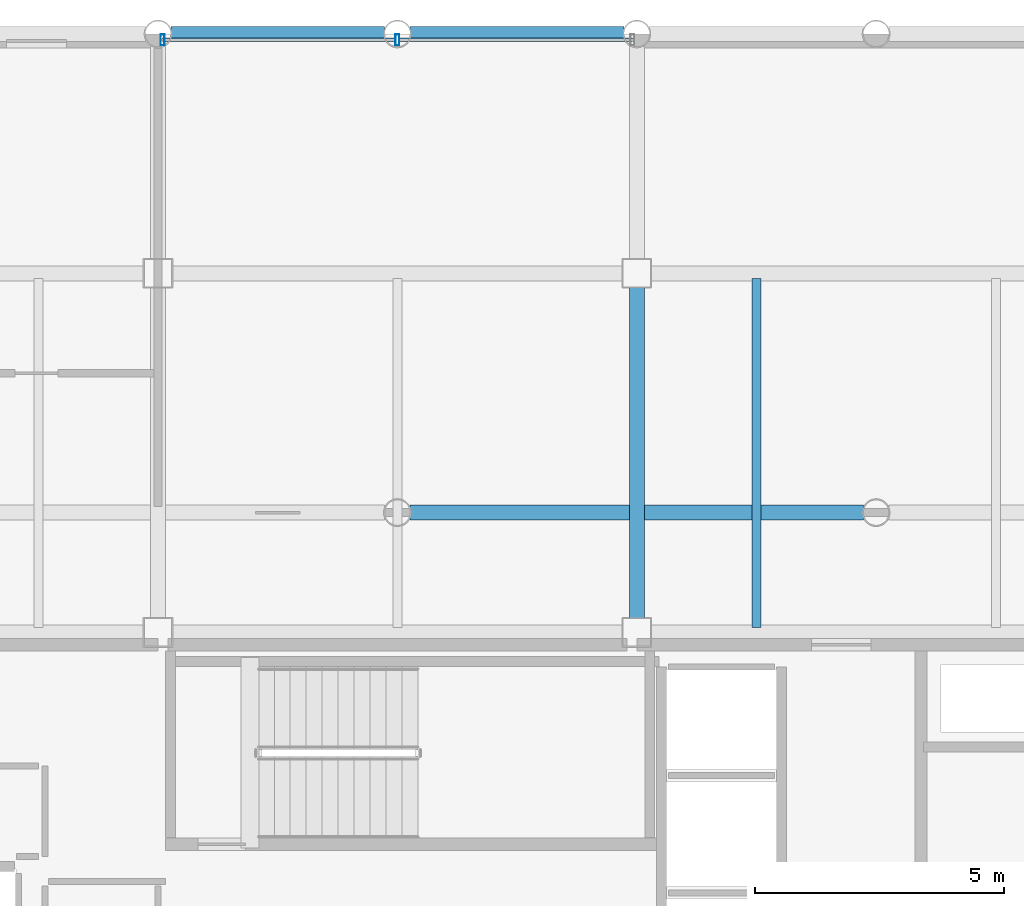
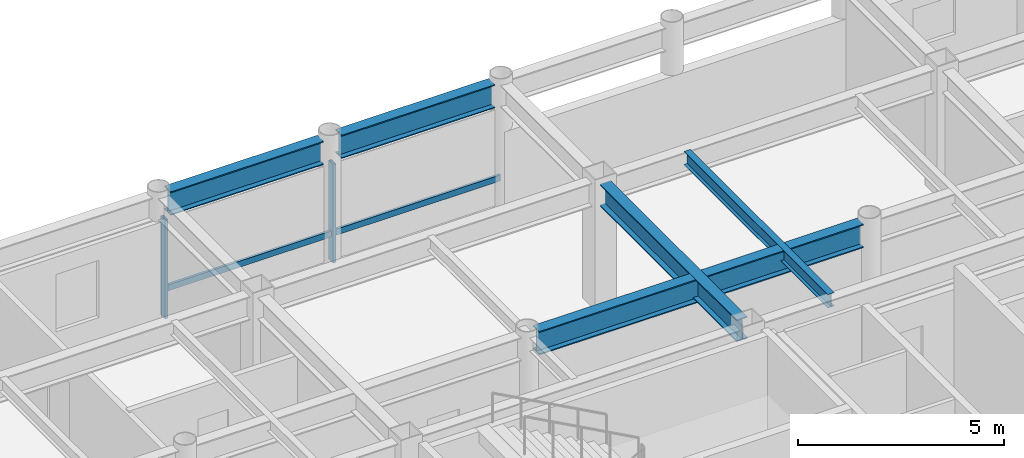
# One storey, part 13 of 21: 5 beams, 4 members, 1 element without a shape of its own.
"""IFC4 building model written with IfcOpenShell, lengths in metres."""

from ifc_helpers import new_model, si_unit, direction, frame, origin, origin_2d, place, context, subcontext, project, spatial, hollow_rectangle, i_section, extrude, material, layer, layer_set, material_profile, profile_set, type_object, element, aggregate, save


model = new_model("IFC4")

# Units and contexts
model_context = context("Model", 3, precision=1e-05, world=origin(), true_north=direction((0.0, 1.0)))
body_context = subcontext(model_context, "Body", "Model", "MODEL_VIEW")
ifc_project = project(units=[si_unit("LENGTHUNIT", "METRE"), si_unit("AREAUNIT", "SQUARE_METRE"), si_unit("VOLUMEUNIT", "CUBIC_METRE"), si_unit("PLANEANGLEUNIT", "RADIAN"), si_unit("MASSUNIT", "GRAM", prefix="KILO")], contexts=[model_context])

# Site, building, storey
site_placement = place(None, origin())
site = spatial("IfcSite", under=ifc_project, at=site_placement, CompositionType="ELEMENT")
building_placement = place(site_placement, origin())
building = spatial("IfcBuilding", under=site, at=building_placement, Name="Kallvorn Hotel Tower", CompositionType="ELEMENT")
storey_placement = place(building_placement, frame((0.0, 0.0, 214.60009765625)))
storey = spatial("IfcBuildingStorey", under=building, at=storey_placement, Name="L53", CompositionType="ELEMENT", Elevation=214.60009765625)

# Beams
ifc_material_1 = material(Name="Structural steel S355JR", Category="steel")
ifc_material_profile_1 = material_profile(ifc_material_1, i_section(OverallWidth=0.300048828125, OverallDepth=0.64990234375, WebThickness=0.01611328125, FlangeThickness=0.031005859375, at=origin_2d()), Name="HE 650 B")
ifc_profile_set_1 = profile_set([ifc_material_profile_1], Name="Structural steel S355JR")
beam_type_1 = type_object("IfcBeamType", Name="BM_HE650B", PredefinedType="BEAM", material=ifc_profile_set_1)
beam_1_placement = place(storey_placement, frame((4.800048828125, 7.47509765625, 3.344970703125), z_axis=(0.0, 1.0, 0.0), x_axis=(-1.0, 0.0, 0.0)))
element("IfcBeam", 1, at=beam_1_placement, inside=storey, type_object=beam_type_1, Name="L54 Primary Y-Girder 116", PredefinedType="BEAM", context=body_context, shape_type="SweptSolid", body=[
    extrude(i_section(OverallWidth=0.300048828125, OverallDepth=0.64990234375, WebThickness=0.01611328125, FlangeThickness=0.031005859375, at=origin_2d()), origin(), (0.0, 0.0, 1.0), 6.64990234375),
])
ifc_material_2 = material(Name="Structural steel S355JR", Category="steel")
ifc_material_profile_2 = material_profile(ifc_material_2, i_section(OverallWidth=0.300048828125, OverallDepth=0.699951171875, WebThickness=0.01708984375, FlangeThickness=0.031982421875, at=origin_2d()), Name="HE 700 B")
ifc_profile_set_2 = profile_set([ifc_material_profile_2], Name="Structural steel S355JR")
beam_type_2 = type_object("IfcBeamType", Name="BM_HE700B", PredefinedType="BEAM", material=ifc_profile_set_2)
beam_2_placement = place(storey_placement, frame((0.25439453125, 9.60009765625, 3.31982421875), z_axis=(1.0, 0.0, 0.0), x_axis=(0.0, 1.0, 0.0)))
element("IfcBeam", 2, at=beam_2_placement, inside=storey, type_object=beam_type_2, Name="L54 Primary X-Girder 46", PredefinedType="BEAM", context=body_context, shape_type="SweptSolid", body=[
    extrude(i_section(OverallWidth=0.300048828125, OverallDepth=0.699951171875, WebThickness=0.01708984375, FlangeThickness=0.031982421875, at=origin_2d()), origin(), (0.0, 0.0, 1.0), 9.091064453125),
])
for number, where, z_axis, x_axis, name in (
    (3, (-4.54541015625, 19.199951171875, 3.31982421875), (1.0, 0.0, 0.0), (0.0, 1.0, 0.0), "L54 Primary X-Girder 66"),
    (4, (0.25439453125, 19.199951171875, 3.31982421875), (1.0, 0.0, 0.0), (0.0, 1.0, 0.0), "L54 Primary X-Girder 67"),
):
    element("IfcBeam", number, at=place(storey_placement, frame(where, z_axis=z_axis, x_axis=x_axis)), inside=storey, type_object=beam_type_2, Name=name, PredefinedType="BEAM", context=body_context, shape_type="SweptSolid", body=[
        extrude(i_section(OverallWidth=0.300048828125, OverallDepth=0.699951171875, WebThickness=0.01708984375, FlangeThickness=0.031982421875, at=origin_2d()), origin(), (0.0, 0.0, 1.0), 4.291015625),
    ])
ifc_material_3 = material(Name="Structural steel S355JR", Category="steel")
ifc_material_profile_3 = material_profile(ifc_material_3, i_section(OverallWidth=0.179931640625, OverallDepth=0.39990234375, WebThickness=0.008544921875, FlangeThickness=0.013427734375, at=origin_2d()), Name="IPE 400")
ifc_profile_set_3 = profile_set([ifc_material_profile_3], Name="Structural steel S355JR")
beam_type_3 = type_object("IfcBeamType", Name="BM_IPE400", PredefinedType="JOIST", material=ifc_profile_set_3)
beam_3_placement = place(storey_placement, frame((7.199951171875, 7.300048828125, 3.469970703125), z_axis=(0.0, 1.0, 0.0), x_axis=(-1.0, 0.0, 0.0)))
element("IfcBeam", 5, at=beam_3_placement, inside=storey, type_object=beam_type_3, Name="L54 Secondary Composite Joist 203", PredefinedType="JOIST", context=body_context, shape_type="SweptSolid", body=[
    extrude(i_section(OverallWidth=0.179931640625, OverallDepth=0.39990234375, WebThickness=0.008544921875, FlangeThickness=0.013427734375, at=origin_2d()), origin(), (0.0, 0.0, 1.0), 7.0),
])

# Curtain wall, members
ifc_material_4 = material(Name="Thermally broken black-anodised aluminium AA 6063-T6", Category="aluminium")
ifc_layer = layer(ifc_material_4, 0.22998046875)
ifc_layer_set = layer_set([ifc_layer], Name="CW_SYS_5_HOTEL_HIGH")
curtain_wall_type = type_object("IfcCurtainWallType", Name="CW_SYS_5_HOTEL_HIGH", PredefinedType="USERDEFINED", material=ifc_layer_set)
curtain_wall_placement = place(storey_placement, origin())
curtain_wall = element("IfcCurtainWall", 6, at=curtain_wall_placement, inside=storey, type_object=curtain_wall_type, Name="L53 Dark-Glass Curtain Wall CW-L53-NC", ObjectType="UNITISED CURTAIN WALL", PredefinedType="USERDEFINED")
ifc_material_5 = material(Name="Thermally broken black-anodised aluminium AA 6063-T6", Category="aluminium")
ifc_material_profile_4 = material_profile(ifc_material_5, hollow_rectangle(XDim=0.080078125, YDim=0.219970703125, WallThickness=0.0048828125, at=origin_2d()), Name="MUL 220x80")
ifc_profile_set_4 = profile_set([ifc_material_profile_4], Name="Thermally broken black-anodised aluminium AA 6063-T6")
member_type_1 = type_object("IfcMemberType", Name="CW_MULLION_220x80", PredefinedType="MULLION", material=ifc_profile_set_4)
member_1_placement = place(storey_placement, frame((-4.7099609375, 19.080078125, 0.02001953125), z_axis=(0.0, 0.0, 1.0), x_axis=(1.0, 0.0, 0.0)))
member_1 = element("IfcMember", 7, at=member_1_placement, type_object=member_type_1, Name="CW-L53-NC Mullion 00", PredefinedType="MULLION", context=body_context, shape_type="SweptSolid", body=[
    extrude(hollow_rectangle(XDim=0.080078125, YDim=0.219970703125, WallThickness=0.0048828125, at=origin_2d()), origin(), (0.0, 0.0, 1.0), 2.929931640625),
])
member_2_placement = place(storey_placement, frame((0.0, 19.080078125, 0.02001953125), z_axis=(0.0, 0.0, 1.0), x_axis=(1.0, 0.0, 0.0)))
member_2 = element("IfcMember", 8, at=member_2_placement, type_object=member_type_1, Name="CW-L53-NC Mullion 01", PredefinedType="MULLION", context=body_context, shape_type="SweptSolid", body=[
    extrude(hollow_rectangle(XDim=0.080078125, YDim=0.219970703125, WallThickness=0.0048828125, at=origin_2d()), origin(), (0.0, 0.0, 1.0), 2.929931640625),
])
ifc_material_6 = material(Name="Thermally broken black-anodised aluminium AA 6063-T6", Category="aluminium")
ifc_material_profile_5 = material_profile(ifc_material_6, hollow_rectangle(XDim=0.070068359375, YDim=0.179931640625, WallThickness=0.00390625, at=origin_2d()), Name="TRN 180x70")
ifc_profile_set_5 = profile_set([ifc_material_profile_5], Name="Thermally broken black-anodised aluminium AA 6063-T6")
member_type_2 = type_object("IfcMemberType", Name="CW_TRANSOM_180x70", PredefinedType="USERDEFINED", material=ifc_profile_set_5)
member_3_placement = place(storey_placement, frame((-4.7099609375, 19.080078125, 0.849853515625), z_axis=(1.0, 0.0, 0.0), x_axis=(0.0, 1.0, 0.0)))
member_3 = element("IfcMember", 9, at=member_3_placement, type_object=member_type_2, Name="CW-L53-NC Transom 00M", ObjectType="TRANSOM", PredefinedType="USERDEFINED", context=body_context, shape_type="SweptSolid", body=[
    extrude(hollow_rectangle(XDim=0.070068359375, YDim=0.179931640625, WallThickness=0.00390625, at=origin_2d()), origin(), (0.0, 0.0, 1.0), 4.669921875),
])
member_4_placement = place(storey_placement, frame((0.0400390625, 19.080078125, 0.849853515625), z_axis=(1.0, 0.0, 0.0), x_axis=(0.0, 1.0, 0.0)))
member_4 = element("IfcMember", 10, at=member_4_placement, type_object=member_type_2, Name="CW-L53-NC Transom 01M", ObjectType="TRANSOM", PredefinedType="USERDEFINED", context=body_context, shape_type="SweptSolid", body=[
    extrude(hollow_rectangle(XDim=0.070068359375, YDim=0.179931640625, WallThickness=0.00390625, at=origin_2d()), origin(), (0.0, 0.0, 1.0), 4.669921875),
])
aggregate(curtain_wall, [member_1, member_2, member_3, member_4])

save(model, "model.ifc")
